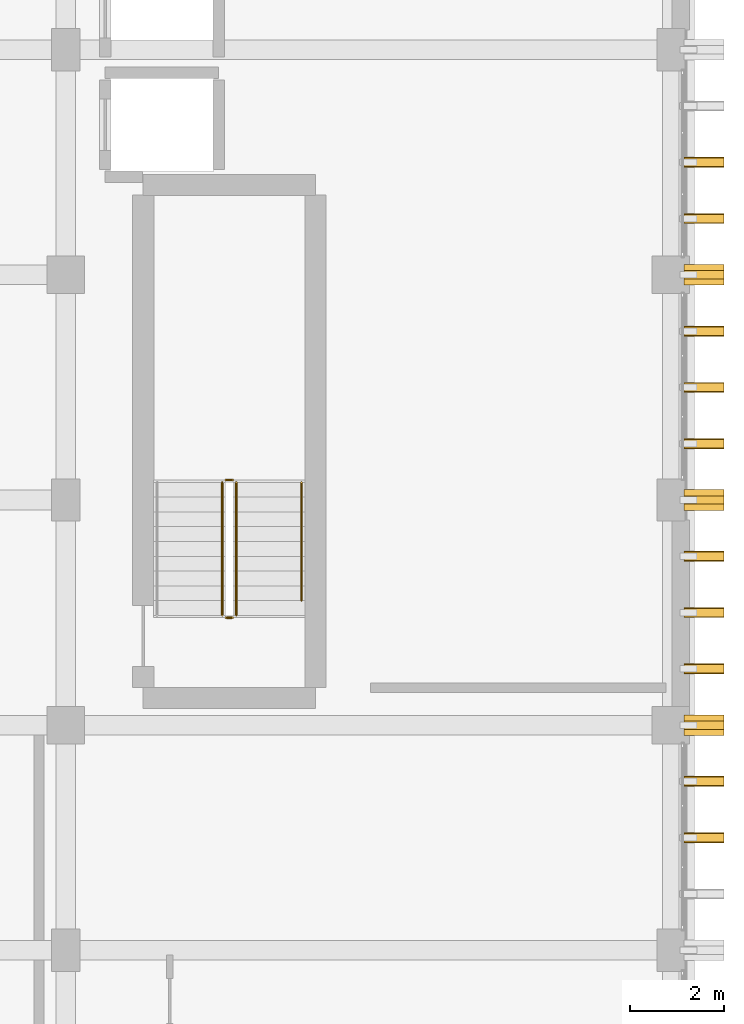
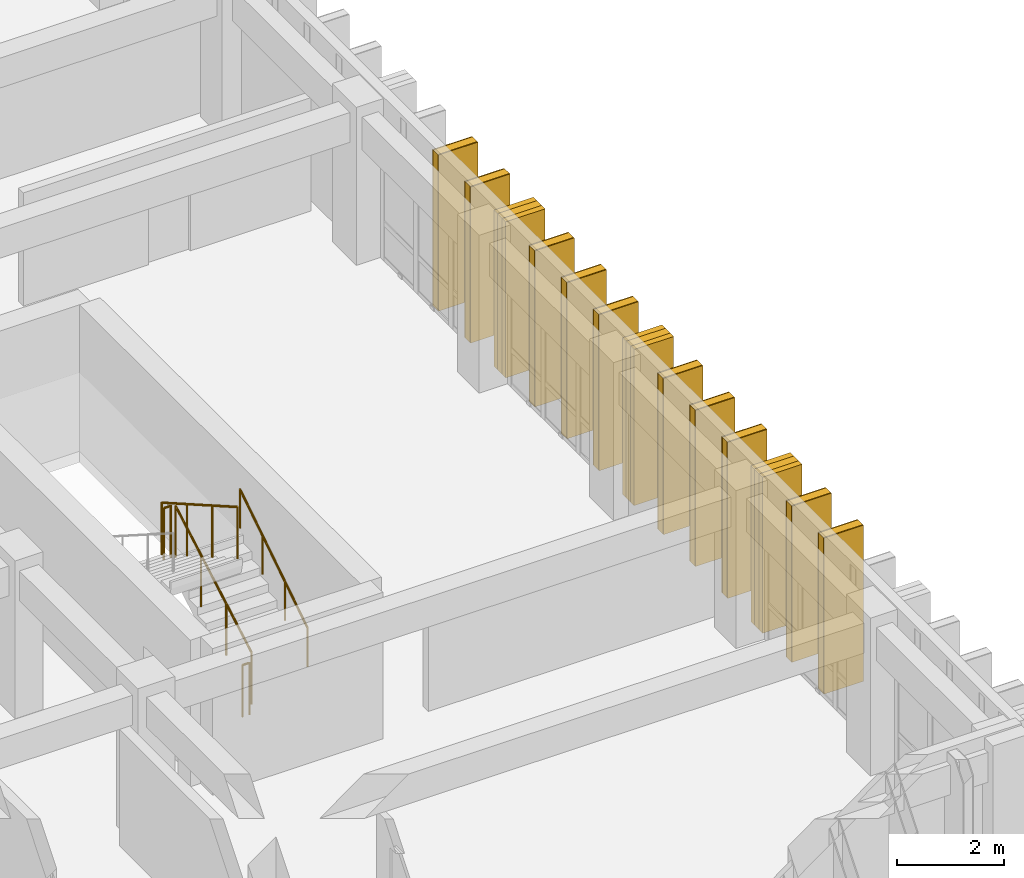
# One storey, part 73 of 82: 13 coverings, 13 shading devices, 5 railings.
"""IFC4 building model written with IfcOpenShell, lengths in metres."""

from ifc_helpers import new_model, si_unit, direction, frame, origin, origin_2d, place, context, subcontext, project, spatial, rectangle, circle, extrude, material, layer, layer_set, type_object, element, save


model = new_model("IFC4")

# Units and contexts
model_context = context("Model", 3, precision=1e-05, world=origin(), true_north=direction((0.0, 1.0)))
body_context = subcontext(model_context, "Body", "Model", "MODEL_VIEW")
ifc_project = project(units=[si_unit("LENGTHUNIT", "METRE"), si_unit("AREAUNIT", "SQUARE_METRE"), si_unit("VOLUMEUNIT", "CUBIC_METRE"), si_unit("PLANEANGLEUNIT", "RADIAN"), si_unit("MASSUNIT", "GRAM", prefix="KILO")], contexts=[model_context])

# Site, building, storey
site_placement = place(None, origin())
site = spatial("IfcSite", under=ifc_project, at=site_placement, CompositionType="ELEMENT")
building_placement = place(site_placement, origin())
building = spatial("IfcBuilding", under=site, at=building_placement, Name="Nakhvara Creek Congress Hotel", CompositionType="ELEMENT")
storey_placement = place(building_placement, frame((0.0, 0.0, 21.0)))
storey = spatial("IfcBuildingStorey", under=building, at=storey_placement, Name="L04", CompositionType="ELEMENT", Elevation=21.0)

# Coverings
ifc_material_1 = material(Name="Honed pale Omani limestone architectural cladding", Category="masonry")
ifc_layer = layer(ifc_material_1, 0.219970703125)
ifc_layer_set = layer_set([ifc_layer], Name="Honed pale Omani limestone architectural cladding")
covering_type = type_object("IfcCoveringType", Name="COV-FIN-850", PredefinedType="CLADDING", material=ifc_layer_set)
for number, where, z_axis, x_axis, name in (
    (1, (180.054931640625, 26.39990234375, 0.0), (0.0, 0.0, 1.0), (0.0, 1.0, 0.0), "Pale Limestone Fin Cladding CF01-1213"),
    (2, (180.054931640625, 27.60009765625, 0.0), (0.0, 0.0, 1.0), (0.0, 1.0, 0.0), "Pale Limestone Fin Cladding CF01-1214"),
):
    element("IfcCovering", number, at=place(storey_placement, frame(where, z_axis=z_axis, x_axis=x_axis)), inside=storey, type_object=covering_type, Name=name, PredefinedType="CLADDING", context=body_context, shape_type="SweptSolid", body=[
        extrude(rectangle(XDim=0.219970703125, YDim=0.85009765625, at=origin_2d()), origin(), (0.0, 0.0, 1.0), 3.56005859375),
    ])
covering_1_placement = place(storey_placement, frame((180.054931640625, 28.800048828125, 0.0), z_axis=(0.0, 0.0, 1.0), x_axis=(0.0, 1.0, 0.0)))
element("IfcCovering", 3, at=covering_1_placement, inside=storey, type_object=covering_type, Name="Pale Limestone Fin Cladding CF01-1216", PredefinedType="CLADDING", context=body_context, shape_type="SweptSolid", body=[
    extrude(rectangle(XDim=0.43994140625, YDim=0.85009765625, at=origin_2d()), origin(), (0.0, 0.0, 1.0), 3.56005859375),
])
for number, where, z_axis, x_axis, name in (
    (4, (180.054931640625, 30.0, 0.0), (0.0, 0.0, 1.0), (0.0, 1.0, 0.0), "Pale Limestone Fin Cladding CF01-1218"),
    (5, (180.054931640625, 31.199951171875, 0.0), (0.0, 0.0, 1.0), (0.0, 1.0, 0.0), "Pale Limestone Fin Cladding CF01-1220"),
    (6, (180.054931640625, 32.39990234375, 0.0), (0.0, 0.0, 1.0), (0.0, 1.0, 0.0), "Pale Limestone Fin Cladding CF01-1222"),
):
    element("IfcCovering", number, at=place(storey_placement, frame(where, z_axis=z_axis, x_axis=x_axis)), inside=storey, type_object=covering_type, Name=name, PredefinedType="CLADDING", context=body_context, shape_type="SweptSolid", body=[
        extrude(rectangle(XDim=0.219970703125, YDim=0.85009765625, at=origin_2d()), origin(), (0.0, 0.0, 1.0), 3.56005859375),
    ])
covering_2_placement = place(storey_placement, frame((180.054931640625, 33.60009765625, 0.0), z_axis=(0.0, 0.0, 1.0), x_axis=(0.0, 1.0, 0.0)))
element("IfcCovering", 7, at=covering_2_placement, inside=storey, type_object=covering_type, Name="Pale Limestone Fin Cladding CF01-1224", PredefinedType="CLADDING", context=body_context, shape_type="SweptSolid", body=[
    extrude(rectangle(XDim=0.43994140625, YDim=0.85009765625, at=origin_2d()), origin(), (0.0, 0.0, 1.0), 3.56005859375),
])
for number, where, z_axis, x_axis, name in (
    (8, (180.054931640625, 34.800048828125, 0.0), (0.0, 0.0, 1.0), (0.0, 1.0, 0.0), "Pale Limestone Fin Cladding CF01-1226"),
    (9, (180.054931640625, 36.0, 0.0), (0.0, 0.0, 1.0), (0.0, 1.0, 0.0), "Pale Limestone Fin Cladding CF01-1228"),
    (10, (180.054931640625, 37.199951171875, 0.0), (0.0, 0.0, 1.0), (0.0, 1.0, 0.0), "Pale Limestone Fin Cladding CF01-1230"),
):
    element("IfcCovering", number, at=place(storey_placement, frame(where, z_axis=z_axis, x_axis=x_axis)), inside=storey, type_object=covering_type, Name=name, PredefinedType="CLADDING", context=body_context, shape_type="SweptSolid", body=[
        extrude(rectangle(XDim=0.219970703125, YDim=0.85009765625, at=origin_2d()), origin(), (0.0, 0.0, 1.0), 3.56005859375),
    ])
covering_3_placement = place(storey_placement, frame((180.054931640625, 38.39990234375, 0.0), z_axis=(0.0, 0.0, 1.0), x_axis=(0.0, 1.0, 0.0)))
element("IfcCovering", 11, at=covering_3_placement, inside=storey, type_object=covering_type, Name="Pale Limestone Fin Cladding CF01-1232", PredefinedType="CLADDING", context=body_context, shape_type="SweptSolid", body=[
    extrude(rectangle(XDim=0.43994140625, YDim=0.85009765625, at=origin_2d()), origin(), (0.0, 0.0, 1.0), 3.56005859375),
])
for number, where, z_axis, x_axis, name in (
    (12, (180.054931640625, 39.60009765625, 0.0), (0.0, 0.0, 1.0), (0.0, 1.0, 0.0), "Pale Limestone Fin Cladding CF01-1234"),
    (13, (180.054931640625, 40.800048828125, 0.0), (0.0, 0.0, 1.0), (0.0, 1.0, 0.0), "Pale Limestone Fin Cladding CF01-1236"),
):
    element("IfcCovering", number, at=place(storey_placement, frame(where, z_axis=z_axis, x_axis=x_axis)), inside=storey, type_object=covering_type, Name=name, PredefinedType="CLADDING", context=body_context, shape_type="SweptSolid", body=[
        extrude(rectangle(XDim=0.219970703125, YDim=0.85009765625, at=origin_2d()), origin(), (0.0, 0.0, 1.0), 3.56005859375),
    ])

# Railings
ifc_material_2 = material(Name="Brushed stainless steel 316L", Category="steel")
railing_type_1 = type_object("IfcRailingType", Name="RL-GUARD-1200", PredefinedType="GUARDRAIL", material=ifc_material_2)
railing_1_placement = place(storey_placement, frame((170.0849609375, 31.139892578125, 0.179931640625)))
element("IfcRailing", 14, at=railing_1_placement, inside=storey, type_object=railing_type_1, Name="L04 ST03 stair guard 1", PredefinedType="GUARDRAIL", context=body_context, shape_type="SweptSolid", body=[
    extrude(circle(Radius=0.02392578125, at=origin_2d()), frame((0.0, 0.0126953125, 1.18310546875), z_axis=(0.0, 0.868243142124, 0.496138938357), x_axis=(-1.0, 0.0, 0.0)), (0.0, 0.0, 1.0), 3.236083984375),
    extrude(circle(Radius=0.02099609375, at=origin_2d()), origin(), (0.0, 0.0, 1.0), 1.1806640625),
    extrude(circle(Radius=0.02099609375, at=origin_2d()), frame((0.0, 0.945068359375, 0.5400390625)), (0.0, 0.0, 1.0), 1.1806640625),
    extrude(circle(Radius=0.02099609375, at=origin_2d()), frame((0.0, 1.89013671875, 1.080078125)), (0.0, 0.0, 1.0), 1.1806640625),
    extrude(circle(Radius=0.02099609375, at=origin_2d()), frame((0.0, 2.835205078125, 1.6201171875)), (0.0, 0.0, 1.0), 1.1806640625),
])
railing_2_placement = place(storey_placement, frame((170.010009765625, 34.02490234375, 1.800048828125)))
element("IfcRailing", 15, at=railing_2_placement, inside=storey, type_object=railing_type_1, Name="L04 ST03 stair guard 2", PredefinedType="GUARDRAIL", context=body_context, shape_type="SweptSolid", body=[
    extrude(circle(Radius=0.02392578125, at=origin_2d()), frame((-0.0146484375, 0.0, 1.17578125), z_axis=(-1.0, 0.0, 0.0), x_axis=(0.0, -1.0, 0.0)), (0.0, 0.0, 1.0), 0.12060546875),
    extrude(circle(Radius=0.02099609375, at=origin_2d()), origin(), (0.0, 0.0, 1.0), 1.1806640625),
    extrude(circle(Radius=0.02099609375, at=origin_2d()), frame((-0.14990234375, 0.0, 0.0)), (0.0, 0.0, 1.0), 1.1806640625),
])
railing_3_placement = place(storey_placement, frame((169.784912109375, 33.97509765625, 1.97998046875)))
element("IfcRailing", 16, at=railing_3_placement, inside=storey, type_object=railing_type_1, Name="L04 ST03 stair guard 3", PredefinedType="GUARDRAIL", context=body_context, shape_type="SweptSolid", body=[
    extrude(circle(Radius=0.02392578125, at=origin_2d()), frame((0.0, -0.0126953125, 1.18310546875), z_axis=(0.0, -0.868243142124, 0.496138938357), x_axis=(1.0, 0.0, 0.0)), (0.0, 0.0, 1.0), 3.236083984375),
    extrude(circle(Radius=0.02099609375, at=origin_2d()), origin(), (0.0, 0.0, 1.0), 1.1806640625),
    extrude(circle(Radius=0.02099609375, at=origin_2d()), frame((0.0, -0.945068359375, 0.5400390625)), (0.0, 0.0, 1.0), 1.1806640625),
    extrude(circle(Radius=0.02099609375, at=origin_2d()), frame((0.0, -1.89013671875, 1.080078125)), (0.0, 0.0, 1.0), 1.1806640625),
    extrude(circle(Radius=0.02099609375, at=origin_2d()), frame((0.0, -2.835205078125, 1.6201171875)), (0.0, 0.0, 1.0), 1.1806640625),
])
railing_4_placement = place(storey_placement, frame((170.010009765625, 31.090087890625, 0.0)))
element("IfcRailing", 17, at=railing_4_placement, inside=storey, type_object=railing_type_1, Name="L04 ST03 stair guard 4", PredefinedType="GUARDRAIL", context=body_context, shape_type="SweptSolid", body=[
    extrude(circle(Radius=0.02392578125, at=origin_2d()), frame((-0.0146484375, 0.0, 1.17578125), z_axis=(-1.0, 0.0, 0.0), x_axis=(0.0, -1.0, 0.0)), (0.0, 0.0, 1.0), 0.12060546875),
    extrude(circle(Radius=0.02099609375, at=origin_2d()), origin(), (0.0, 0.0, 1.0), 1.1806640625),
    extrude(circle(Radius=0.02099609375, at=origin_2d()), frame((-0.14990234375, 0.0, 0.0)), (0.0, 0.0, 1.0), 1.1806640625),
])
railing_type_2 = type_object("IfcRailingType", Name="RL-HAND-900", PredefinedType="HANDRAIL", material=ifc_material_2)
railing_5_placement = place(storey_placement, frame((171.47509765625, 31.455078125, 0.360107421875)))
element("IfcRailing", 18, at=railing_5_placement, inside=storey, type_object=railing_type_2, Name="L04 ST03 stair handrail 1", PredefinedType="HANDRAIL", context=body_context, shape_type="SweptSolid", body=[
    extrude(circle(Radius=0.02392578125, at=origin_2d()), frame((0.0, 0.012451171875, 0.8837890625), z_axis=(0.0, 0.839530876525, 0.54331197977), x_axis=(-1.0, 0.0, 0.0)), (0.0, 0.0, 1.0), 2.972412109375),
    extrude(circle(Radius=0.02099609375, at=origin_2d()), origin(), (0.0, 0.0, 1.0), 0.880615234375),
    extrude(circle(Radius=0.02099609375, at=origin_2d()), frame((0.0, 0.840087890625, 0.543701171875)), (0.0, 0.0, 1.0), 0.880615234375),
    extrude(circle(Radius=0.02099609375, at=origin_2d()), frame((0.0, 1.679931640625, 1.087158203125)), (0.0, 0.0, 1.0), 0.880615234375),
    extrude(circle(Radius=0.02099609375, at=origin_2d()), frame((0.0, 2.52001953125, 1.630859375)), (0.0, 0.0, 1.0), 0.880615234375),
])

# Shading devices
ifc_material_3 = material(Name="Honed pale Omani limestone cladding on stainless steel spine", Category="masonry")
shading_device_type = type_object("IfcShadingDeviceType", Name="SHD-FIN-850X3600", PredefinedType="USERDEFINED", material=ifc_material_3)
for number, where, z_axis, x_axis, name in (
    (19, (180.054931640625, 26.39990234375, 0.0), (0.0, 0.0, 1.0), (0.0, 1.0, 0.0), "Limestone Solar Fin FN01-1078"),
    (20, (180.054931640625, 27.60009765625, 0.0), (0.0, 0.0, 1.0), (0.0, 1.0, 0.0), "Limestone Solar Fin FN01-1079"),
    (21, (180.054931640625, 28.800048828125, 0.0), (0.0, 0.0, 1.0), (0.0, 1.0, 0.0), "Limestone Solar Fin FN01-1081"),
    (22, (180.054931640625, 30.0, 0.0), (0.0, 0.0, 1.0), (0.0, 1.0, 0.0), "Limestone Solar Fin FN01-1083"),
    (23, (180.054931640625, 31.199951171875, 0.0), (0.0, 0.0, 1.0), (0.0, 1.0, 0.0), "Limestone Solar Fin FN01-1085"),
    (24, (180.054931640625, 32.39990234375, 0.0), (0.0, 0.0, 1.0), (0.0, 1.0, 0.0), "Limestone Solar Fin FN01-1087"),
    (25, (180.054931640625, 33.60009765625, 0.0), (0.0, 0.0, 1.0), (0.0, 1.0, 0.0), "Limestone Solar Fin FN01-1089"),
    (26, (180.054931640625, 34.800048828125, 0.0), (0.0, 0.0, 1.0), (0.0, 1.0, 0.0), "Limestone Solar Fin FN01-1091"),
    (27, (180.054931640625, 36.0, 0.0), (0.0, 0.0, 1.0), (0.0, 1.0, 0.0), "Limestone Solar Fin FN01-1093"),
    (28, (180.054931640625, 37.199951171875, 0.0), (0.0, 0.0, 1.0), (0.0, 1.0, 0.0), "Limestone Solar Fin FN01-1095"),
    (29, (180.054931640625, 38.39990234375, 0.0), (0.0, 0.0, 1.0), (0.0, 1.0, 0.0), "Limestone Solar Fin FN01-1097"),
    (30, (180.054931640625, 39.60009765625, 0.0), (0.0, 0.0, 1.0), (0.0, 1.0, 0.0), "Limestone Solar Fin FN01-1099"),
    (31, (180.054931640625, 40.800048828125, 0.0), (0.0, 0.0, 1.0), (0.0, 1.0, 0.0), "Limestone Solar Fin FN01-1101"),
):
    element("IfcShadingDevice", number, at=place(storey_placement, frame(where, z_axis=z_axis, x_axis=x_axis)), inside=storey, type_object=shading_device_type, Name=name, ObjectType="FIN", PredefinedType="USERDEFINED", context=body_context, shape_type="SweptSolid", body=[
        extrude(rectangle(XDim=0.179931640625, YDim=0.85009765625, at=origin_2d()), origin(), (0.0, 0.0, 1.0), 3.56005859375),
    ])

save(model, "model.ifc")
